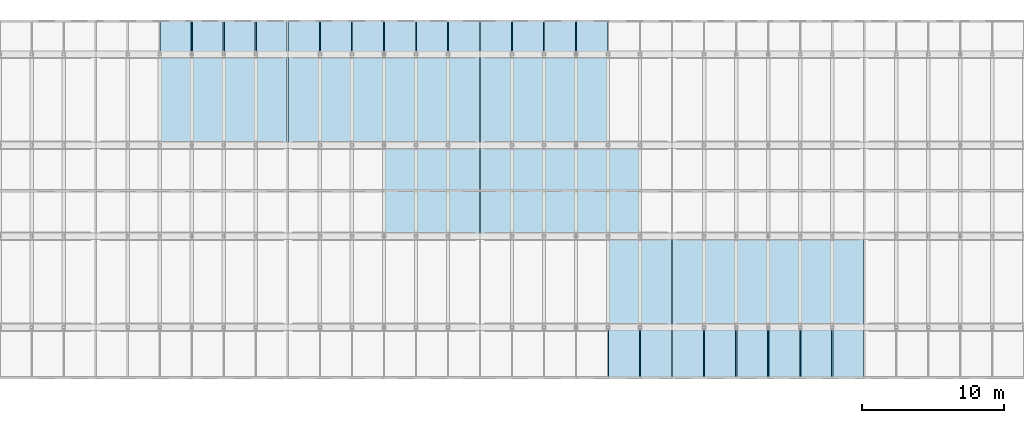
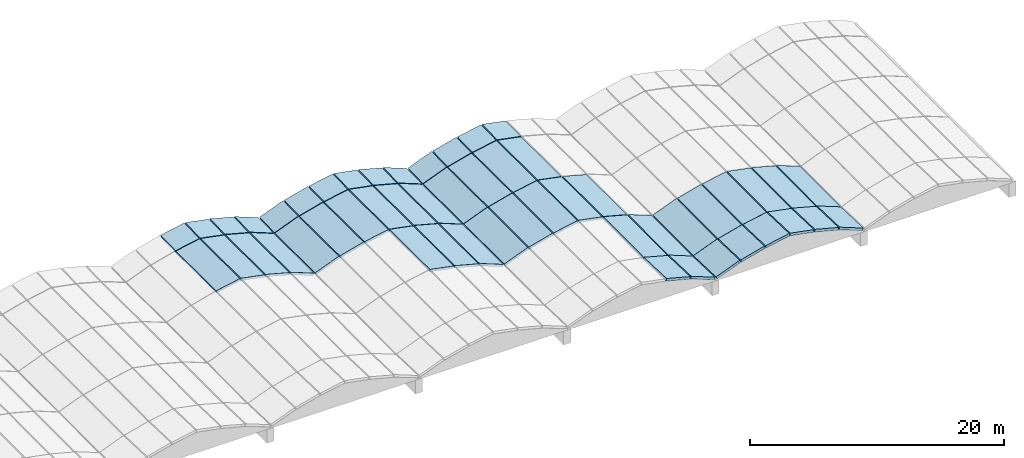
# One storey, part 13 of 15: 52 slabs, 4 elements without a shape of their own.
"""IFC4 building model written with IfcOpenShell, lengths in metres."""

from ifc_helpers import new_model, si_unit, direction, frame, origin, place, context, subcontext, project, spatial, polyline, outline, extrude, material, layer, layer_set, type_object, element, aggregate, save


model = new_model("IFC4")

# Units and contexts
model_context = context("Model", 3, precision=1e-05, world=origin(), true_north=direction((0.0, 1.0)))
body_context = subcontext(model_context, "Body", "Model", "MODEL_VIEW")
ifc_project = project(units=[si_unit("LENGTHUNIT", "METRE"), si_unit("AREAUNIT", "SQUARE_METRE"), si_unit("VOLUMEUNIT", "CUBIC_METRE"), si_unit("PLANEANGLEUNIT", "RADIAN"), si_unit("MASSUNIT", "GRAM", prefix="KILO")], contexts=[model_context])

# Site, building, storey
site_placement = place(None, origin())
site = spatial("IfcSite", under=ifc_project, at=site_placement, CompositionType="ELEMENT")
building_placement = place(site_placement, origin())
building = spatial("IfcBuilding", under=site, at=building_placement, Name="Fikremerkos Civic Library", CompositionType="ELEMENT")
storey_placement = place(building_placement, frame((0.0, 0.0, 27.89990234375)))
storey = spatial("IfcBuildingStorey", under=building, at=storey_placement, Name="RF", CompositionType="ELEMENT", Elevation=27.89990234375)

# Roof, slabs
ifc_material = material(Name="Concrete C40/50", Category="concrete")
ifc_layer_1 = layer(ifc_material, 0.219970703125, Name="Concrete C40/50")
ifc_layer_set_1 = layer_set([ifc_layer_1], Name="Concrete C40/50")
roof_type = type_object("IfcRoofType", Name="Reading hall barrel vault assembly RF-BV", PredefinedType="BARREL_ROOF", material=ifc_layer_set_1)
roof_1_placement = place(storey_placement, origin())
roof_1 = element("IfcRoof", 1, at=roof_1_placement, inside=storey, type_object=roof_type, Name="Reading hall concrete barrel vault V3", PredefinedType="BARREL_ROOF")
ifc_layer_2 = layer(ifc_material, 0.219970703125, Name="Concrete C40/50")
ifc_layer_set_2 = layer_set([ifc_layer_2], Name="Concrete C40/50")
slab_type_1 = type_object("IfcSlabType", Name="Vault shell roof strip VSR-01 220", PredefinedType="ROOF", material=ifc_layer_set_2)
slab_1_placement = place(storey_placement, frame((50.748046875, 24.81494140625, 1.654052734375), z_axis=(-0.191446599806, 0.006169067818, 0.981483643279), x_axis=(0.981502320169, 0.0, 0.191450242889)))
slab_1 = element("IfcSlab", 2, at=slab_1_placement, type_object=slab_type_1, Name="Barrel vault shell strip VSR-01 V3 R4 F3", PredefinedType="ROOF", context=body_context, shape_type="SweptSolid", body=[
    extrude(outline(polyline([(0.0, 0.0), (2.1946486423012233, -4.336808689942018e-19), (2.1869831540605427, 6.37023840600168), (-0.0076654882406804545, 6.37023840600168), (0.0, 0.0)])), origin(), (0.0, 0.0, -1.0), 0.219970703125),
])
slab_2_placement = place(storey_placement, frame((52.998046875, 24.81494140625, 2.07421875), z_axis=(0.191446599806, 0.006169067818, 0.981483643279), x_axis=(0.981502320169, 0.0, -0.191450242889)))
slab_2 = element("IfcSlab", 3, at=slab_2_placement, type_object=slab_type_1, Name="Barrel vault shell strip VSR-01 V3 R4 F4", PredefinedType="ROOF", context=body_context, shape_type="SweptSolid", body=[
    extrude(outline(polyline([(0.0, 0.0), (2.1946486423012233, 4.336808689942018e-19), (2.202314130541904, 6.37023840600168), (0.0076654882406804545, 6.37023840600168), (0.0, 0.0)])), origin(), (0.0, 0.0, -1.0), 0.219970703125),
])
slab_3_placement = place(storey_placement, frame((55.248046875, 24.81494140625, 1.654052734375), z_axis=(0.259108847261, 0.006070671626, 0.965829049168), x_axis=(0.965846846535, 0.0, -0.259113621869)))
slab_3 = element("IfcSlab", 4, at=slab_3_placement, type_object=slab_type_1, Name="Barrel vault shell strip VSR-01 V3 R4 F5", PredefinedType="ROOF", context=body_context, shape_type="SweptSolid", body=[
    extrude(outline(polyline([(0.0, 0.0), (2.2302218432479766, -4.336808689942018e-19), (2.2405965097485847, 6.3702345698807505), (0.010374666500608148, 6.3702345698807505), (0.0, 0.0)])), origin(), (0.0, 0.0, -1.0), 0.219970703125),
])
slab_4_placement = place(storey_placement, frame((57.498046875, 24.81494140625, 1.076171875), z_axis=(0.365584139107, 0.005832410844, 0.930760022894), x_axis=(0.930775853527, 2.86336e-07, -0.365590358861)))
slab_4 = element("IfcSlab", 5, at=slab_4_placement, type_object=slab_type_1, Name="Barrel vault shell strip VSR-01 V3 R4 F6", PredefinedType="ROOF", context=body_context, shape_type="SweptSolid", body=[
    extrude(outline(polyline([(0.0, 0.0), (2.314299692254804, -8.673617379884035e-19), (2.328850156019198, 6.370224869609008), (0.01463971922310075, 6.37022619494165), (0.0, 0.0)])), origin(), (0.0, 0.0, -1.0), 0.219970703125),
])

roof_2_placement = place(storey_placement, origin())
roof_2 = element("IfcRoof", 6, at=roof_2_placement, inside=storey, type_object=roof_type, Name="Reading hall concrete barrel vault V4", PredefinedType="BARREL_ROOF")
slab_5_placement = place(storey_placement, frame((66.498046875, 18.4150390625, 2.07421875), z_axis=(0.191450242889, 0.0, 0.981502320169), x_axis=(0.981502320169, 0.0, -0.191450242889)))
slab_5 = element("IfcSlab", 7, at=slab_5_placement, type_object=slab_type_1, Name="Barrel vault shell strip VSR-01 V4 R3 F4", PredefinedType="ROOF", context=body_context, shape_type="SweptSolid", body=[
    extrude(outline(polyline([(0.0, 0.0), (2.1946486423012233, 0.0), (2.1946486423012233, 6.369873046875), (0.0, 6.369873046875), (0.0, 0.0)])), origin(), (0.0, 0.0, -1.0), 0.219970703125),
])
slab_6_placement = place(storey_placement, frame((68.748046875, 18.4150390625, 1.654052734375), z_axis=(0.259113621869, 0.0, 0.965846846535), x_axis=(0.965846846535, 0.0, -0.259113621869)))
slab_6 = element("IfcSlab", 8, at=slab_6_placement, type_object=slab_type_1, Name="Barrel vault shell strip VSR-01 V4 R3 F5", PredefinedType="ROOF", context=body_context, shape_type="SweptSolid", body=[
    extrude(outline(polyline([(0.0, 0.0), (2.2302218432479766, 0.0), (2.2302218432479766, 6.369873046875), (0.0, 6.369873046875), (0.0, 0.0)])), origin(), (0.0, 0.0, -1.0), 0.219970703125),
])
slab_7_placement = place(storey_placement, frame((70.998046875, 18.4150390625, 1.076171875), z_axis=(0.365636053128, 0.0, 0.930757904427), x_axis=(0.930757904427, 0.0, -0.365636053128)))
slab_7 = element("IfcSlab", 9, at=slab_7_placement, type_object=slab_type_1, Name="Barrel vault shell strip VSR-01 V4 R3 F6", PredefinedType="ROOF", context=body_context, shape_type="SweptSolid", body=[
    extrude(outline(polyline([(0.0, 0.0), (2.314299695043787, 0.0), (2.314299695043787, 6.369873046875), (0.0, 6.369873046875), (0.0, 0.0)])), origin(), (0.0, 0.0, -1.0), 0.219970703125),
])
slab_8_placement = place(storey_placement, frame((59.748046875, 24.81494140625, 0.22998046875), z_axis=(-0.365584139107, 0.005832410844, 0.930760022894), x_axis=(0.930775853527, -2.86336e-07, 0.365590358861)))
slab_8 = element("IfcSlab", 10, at=slab_8_placement, type_object=slab_type_1, Name="Barrel vault shell strip VSR-01 V4 R4 F1", PredefinedType="ROOF", context=body_context, shape_type="SweptSolid", body=[
    extrude(outline(polyline([(0.0, 0.0), (2.314299692254804, 8.673617379884035e-19), (2.299659973031703, 6.370226194941651), (-0.014550463764394549, 6.370224869609008), (0.0, 0.0)])), origin(), (0.0, 0.0, -1.0), 0.219970703125),
])
slab_9_placement = place(storey_placement, frame((61.998046875, 24.81494140625, 1.076171875), z_axis=(-0.259108847261, 0.006070671626, 0.965829049168), x_axis=(0.965846846535, 0.0, 0.259113621869)))
slab_9 = element("IfcSlab", 11, at=slab_9_placement, type_object=slab_type_1, Name="Barrel vault shell strip VSR-01 V4 R4 F2", PredefinedType="ROOF", context=body_context, shape_type="SweptSolid", body=[
    extrude(outline(polyline([(0.0, 0.0), (2.2302218432479766, 4.336808689942018e-19), (2.2198471767473684, 6.3702345698807505), (-0.010374666500608148, 6.3702345698807505), (0.0, 0.0)])), origin(), (0.0, 0.0, -1.0), 0.219970703125),
])
slab_10_placement = place(storey_placement, frame((64.248046875, 24.81494140625, 1.654052734375), z_axis=(-0.191446599806, 0.006169067818, 0.981483643279), x_axis=(0.981502320169, 0.0, 0.191450242889)))
slab_10 = element("IfcSlab", 12, at=slab_10_placement, type_object=slab_type_1, Name="Barrel vault shell strip VSR-01 V4 R4 F3", PredefinedType="ROOF", context=body_context, shape_type="SweptSolid", body=[
    extrude(outline(polyline([(0.0, 0.0), (2.1946486423012233, -4.336808689942018e-19), (2.1869831540605427, 6.37023840600168), (-0.0076654882406804545, 6.37023840600168), (0.0, 0.0)])), origin(), (0.0, 0.0, -1.0), 0.219970703125),
])
slab_11_placement = place(storey_placement, frame((66.498046875, 24.81494140625, 2.07421875), z_axis=(0.191446599806, 0.006169067818, 0.981483643279), x_axis=(0.981502320169, 0.0, -0.191450242889)))
slab_11 = element("IfcSlab", 13, at=slab_11_placement, type_object=slab_type_1, Name="Barrel vault shell strip VSR-01 V4 R4 F4", PredefinedType="ROOF", context=body_context, shape_type="SweptSolid", body=[
    extrude(outline(polyline([(0.0, 0.0), (2.1946486423012233, 4.336808689942018e-19), (2.202314130541904, 6.37023840600168), (0.0076654882406804545, 6.37023840600168), (0.0, 0.0)])), origin(), (0.0, 0.0, -1.0), 0.219970703125),
])
slab_12_placement = place(storey_placement, frame((68.748046875, 24.81494140625, 1.654052734375), z_axis=(0.259108847261, 0.006070671626, 0.965829049168), x_axis=(0.965846846535, 0.0, -0.259113621869)))
slab_12 = element("IfcSlab", 14, at=slab_12_placement, type_object=slab_type_1, Name="Barrel vault shell strip VSR-01 V4 R4 F5", PredefinedType="ROOF", context=body_context, shape_type="SweptSolid", body=[
    extrude(outline(polyline([(0.0, 0.0), (2.2302218432479766, -4.336808689942018e-19), (2.2405965097485847, 6.3702345698807505), (0.010374666500608148, 6.3702345698807505), (0.0, 0.0)])), origin(), (0.0, 0.0, -1.0), 0.219970703125),
])
slab_13_placement = place(storey_placement, frame((70.998046875, 24.81494140625, 1.076171875), z_axis=(0.365584139107, 0.005832410844, 0.930760022894), x_axis=(0.930775853527, 2.86336e-07, -0.365590358861)))
slab_13 = element("IfcSlab", 15, at=slab_13_placement, type_object=slab_type_1, Name="Barrel vault shell strip VSR-01 V4 R4 F6", PredefinedType="ROOF", context=body_context, shape_type="SweptSolid", body=[
    extrude(outline(polyline([(0.0, 0.0), (2.314299692254804, -8.673617379884035e-19), (2.328850156019198, 6.370224869609008), (0.01463971922310075, 6.37022619494165), (0.0, 0.0)])), origin(), (0.0, 0.0, -1.0), 0.219970703125),
])

roof_3_placement = place(storey_placement, origin())
roof_3 = element("IfcRoof", 16, at=roof_3_placement, inside=storey, type_object=roof_type, Name="Reading hall concrete barrel vault V5", PredefinedType="BARREL_ROOF")
slab_14_placement = place(storey_placement, frame((82.248046875, 12.014892578125, 1.614013671875), z_axis=(0.259108847261, -0.006070671626, 0.965829049168), x_axis=(0.965846846535, 0.0, -0.259113621869)))
slab_14 = element("IfcSlab", 17, at=slab_14_placement, type_object=slab_type_1, Name="Barrel vault shell strip VSR-01 V5 R2 F5", PredefinedType="ROOF", context=body_context, shape_type="SweptSolid", body=[
    extrude(outline(polyline([(0.0, 0.0), (2.2302218432479766, 4.336808689942018e-19), (2.2198471767473684, 6.3702345698807505), (-0.010374666500608148, 6.3702345698807505), (0.0, 0.0)])), origin(), (0.0, 0.0, -1.0), 0.219970703125),
])
slab_15_placement = place(storey_placement, frame((84.498046875, 12.014892578125, 1.0361328125), z_axis=(0.365584139107, -0.005832410844, 0.930760022894), x_axis=(0.930775854748, 2.86347e-07, -0.365590355752)))
slab_15 = element("IfcSlab", 18, at=slab_15_placement, type_object=slab_type_1, Name="Barrel vault shell strip VSR-01 V5 R2 F6", PredefinedType="ROOF", context=body_context, shape_type="SweptSolid", body=[
    extrude(outline(polyline([(0.0, 0.0), (2.314210436796477, 8.673617379884035e-19), (2.299663621216719, 6.370224877940915), (-0.014636071037704897, 6.370226203324673), (0.0, 0.0)])), origin(), (0.0, 0.0, -1.0), 0.219970703125),
])
slab_16_placement = place(storey_placement, frame((73.248046875, 18.4150390625, 0.22998046875), z_axis=(-0.365636053128, 0.0, 0.930757904427), x_axis=(0.930757904427, 0.0, 0.365636053128)))
slab_16 = element("IfcSlab", 19, at=slab_16_placement, type_object=slab_type_1, Name="Barrel vault shell strip VSR-01 V5 R3 F1", PredefinedType="ROOF", context=body_context, shape_type="SweptSolid", body=[
    extrude(outline(polyline([(0.0, 0.0), (2.314299695043787, 0.0), (2.314299695043787, 6.369873046875), (0.0, 6.369873046875), (0.0, 0.0)])), origin(), (0.0, 0.0, -1.0), 0.219970703125),
])
slab_17_placement = place(storey_placement, frame((75.498046875, 18.4150390625, 1.076171875), z_axis=(-0.259113621869, 0.0, 0.965846846535), x_axis=(0.965846846535, 0.0, 0.259113621869)))
slab_17 = element("IfcSlab", 20, at=slab_17_placement, type_object=slab_type_1, Name="Barrel vault shell strip VSR-01 V5 R3 F2", PredefinedType="ROOF", context=body_context, shape_type="SweptSolid", body=[
    extrude(outline(polyline([(0.0, 0.0), (2.2302218432479766, 0.0), (2.2302218432479766, 6.369873046875), (0.0, 6.369873046875), (0.0, 0.0)])), origin(), (0.0, 0.0, -1.0), 0.219970703125),
])
slab_18_placement = place(storey_placement, frame((77.748046875, 18.4150390625, 1.654052734375), z_axis=(-0.191450242889, 0.0, 0.981502320169), x_axis=(0.981502320169, 0.0, 0.191450242889)))
slab_18 = element("IfcSlab", 21, at=slab_18_placement, type_object=slab_type_1, Name="Barrel vault shell strip VSR-01 V5 R3 F3", PredefinedType="ROOF", context=body_context, shape_type="SweptSolid", body=[
    extrude(outline(polyline([(0.0, 0.0), (2.1946486423012233, 0.0), (2.1946486423012233, 6.369873046875), (0.0, 6.369873046875), (0.0, 0.0)])), origin(), (0.0, 0.0, -1.0), 0.219970703125),
])
slab_19_placement = place(storey_placement, frame((79.998046875, 18.4150390625, 2.07421875), z_axis=(0.191450242889, 0.0, 0.981502320169), x_axis=(0.981502320169, 0.0, -0.191450242889)))
slab_19 = element("IfcSlab", 22, at=slab_19_placement, type_object=slab_type_1, Name="Barrel vault shell strip VSR-01 V5 R3 F4", PredefinedType="ROOF", context=body_context, shape_type="SweptSolid", body=[
    extrude(outline(polyline([(0.0, 0.0), (2.1946486423012233, 0.0), (2.1946486423012233, 6.369873046875), (0.0, 6.369873046875), (0.0, 0.0)])), origin(), (0.0, 0.0, -1.0), 0.219970703125),
])
slab_20_placement = place(storey_placement, frame((82.248046875, 18.4150390625, 1.654052734375), z_axis=(0.259113621869, 0.0, 0.965846846535), x_axis=(0.965846846535, 0.0, -0.259113621869)))
slab_20 = element("IfcSlab", 23, at=slab_20_placement, type_object=slab_type_1, Name="Barrel vault shell strip VSR-01 V5 R3 F5", PredefinedType="ROOF", context=body_context, shape_type="SweptSolid", body=[
    extrude(outline(polyline([(0.0, 0.0), (2.2302218432479766, 0.0), (2.2302218432479766, 6.369873046875), (0.0, 6.369873046875), (0.0, 0.0)])), origin(), (0.0, 0.0, -1.0), 0.219970703125),
])
slab_21_placement = place(storey_placement, frame((73.248046875, 24.81494140625, 0.22998046875), z_axis=(-0.365584139107, 0.005832410844, 0.930760022894), x_axis=(0.930775853527, -2.86336e-07, 0.365590358861)))
slab_21 = element("IfcSlab", 24, at=slab_21_placement, type_object=slab_type_1, Name="Barrel vault shell strip VSR-01 V5 R4 F1", PredefinedType="ROOF", context=body_context, shape_type="SweptSolid", body=[
    extrude(outline(polyline([(0.0, 0.0), (2.314299692254804, 8.673617379884035e-19), (2.299659973031703, 6.370226194941651), (-0.014550463764394549, 6.370224869609008), (0.0, 0.0)])), origin(), (0.0, 0.0, -1.0), 0.219970703125),
])
slab_22_placement = place(storey_placement, frame((75.498046875, 24.81494140625, 1.076171875), z_axis=(-0.259108847261, 0.006070671626, 0.965829049168), x_axis=(0.965846846535, 0.0, 0.259113621869)))
slab_22 = element("IfcSlab", 25, at=slab_22_placement, type_object=slab_type_1, Name="Barrel vault shell strip VSR-01 V5 R4 F2", PredefinedType="ROOF", context=body_context, shape_type="SweptSolid", body=[
    extrude(outline(polyline([(0.0, 0.0), (2.2302218432479766, 4.336808689942018e-19), (2.2198471767473684, 6.3702345698807505), (-0.010374666500608148, 6.3702345698807505), (0.0, 0.0)])), origin(), (0.0, 0.0, -1.0), 0.219970703125),
])
slab_23_placement = place(storey_placement, frame((77.748046875, 24.81494140625, 1.654052734375), z_axis=(-0.191446599806, 0.006169067818, 0.981483643279), x_axis=(0.981502320169, 0.0, 0.191450242889)))
slab_23 = element("IfcSlab", 26, at=slab_23_placement, type_object=slab_type_1, Name="Barrel vault shell strip VSR-01 V5 R4 F3", PredefinedType="ROOF", context=body_context, shape_type="SweptSolid", body=[
    extrude(outline(polyline([(0.0, 0.0), (2.1946486423012233, -4.336808689942018e-19), (2.1869831540605427, 6.37023840600168), (-0.0076654882406804545, 6.37023840600168), (0.0, 0.0)])), origin(), (0.0, 0.0, -1.0), 0.219970703125),
])
slab_24_placement = place(storey_placement, frame((79.998046875, 24.81494140625, 2.07421875), z_axis=(0.191446599806, 0.006169067818, 0.981483643279), x_axis=(0.981502320169, 0.0, -0.191450242889)))
slab_24 = element("IfcSlab", 27, at=slab_24_placement, type_object=slab_type_1, Name="Barrel vault shell strip VSR-01 V5 R4 F4", PredefinedType="ROOF", context=body_context, shape_type="SweptSolid", body=[
    extrude(outline(polyline([(0.0, 0.0), (2.1946486423012233, 4.336808689942018e-19), (2.202314130541904, 6.37023840600168), (0.0076654882406804545, 6.37023840600168), (0.0, 0.0)])), origin(), (0.0, 0.0, -1.0), 0.219970703125),
])

roof_4_placement = place(storey_placement, origin())
roof_4 = element("IfcRoof", 28, at=roof_4_placement, inside=storey, type_object=roof_type, Name="Reading hall concrete barrel vault V6", PredefinedType="BARREL_ROOF")
slab_25_placement = place(storey_placement, frame((86.748046875, 12.014892578125, 0.190185546875), z_axis=(-0.365584139107, -0.005832410844, 0.930760022894), x_axis=(0.930775854748, -2.86347e-07, 0.365590355752)))
slab_25 = element("IfcSlab", 29, at=slab_25_placement, type_object=slab_type_1, Name="Barrel vault shell strip VSR-01 V6 R2 F1", PredefinedType="ROOF", context=body_context, shape_type="SweptSolid", body=[
    extrude(outline(polyline([(0.0, 0.0), (2.314210436796477, -8.673617379884035e-19), (2.328846507834182, 6.370226203324673), (0.014546815579757719, 6.370224877940915), (0.0, 0.0)])), origin(), (0.0, 0.0, -1.0), 0.219970703125),
])
slab_26_placement = place(storey_placement, frame((88.998046875, 12.014892578125, 1.0361328125), z_axis=(-0.259108847261, -0.006070671626, 0.965829049168), x_axis=(0.965846846535, 0.0, 0.259113621869)))
slab_26 = element("IfcSlab", 30, at=slab_26_placement, type_object=slab_type_1, Name="Barrel vault shell strip VSR-01 V6 R2 F2", PredefinedType="ROOF", context=body_context, shape_type="SweptSolid", body=[
    extrude(outline(polyline([(0.0, 0.0), (2.2302218432479766, -4.336808689942018e-19), (2.2405965097485847, 6.3702345698807505), (0.010374666500608148, 6.3702345698807505), (0.0, 0.0)])), origin(), (0.0, 0.0, -1.0), 0.219970703125),
])
slab_27_placement = place(storey_placement, frame((91.248046875, 12.014892578125, 1.614013671875), z_axis=(-0.191446599806, -0.006169067818, 0.981483643279), x_axis=(0.981502320169, 0.0, 0.191450242889)))
slab_27 = element("IfcSlab", 31, at=slab_27_placement, type_object=slab_type_1, Name="Barrel vault shell strip VSR-01 V6 R2 F3", PredefinedType="ROOF", context=body_context, shape_type="SweptSolid", body=[
    extrude(outline(polyline([(0.0, 0.0), (2.1946486423012233, 4.336808689942018e-19), (2.202314130541904, 6.37023840600168), (0.0076654882406804545, 6.37023840600168), (0.0, 0.0)])), origin(), (0.0, 0.0, -1.0), 0.219970703125),
])
slab_28_placement = place(storey_placement, frame((93.498046875, 12.014892578125, 2.0341796875), z_axis=(0.191446599806, -0.006169067818, 0.981483643279), x_axis=(0.981502320169, 0.0, -0.191450242889)))
slab_28 = element("IfcSlab", 32, at=slab_28_placement, type_object=slab_type_1, Name="Barrel vault shell strip VSR-01 V6 R2 F4", PredefinedType="ROOF", context=body_context, shape_type="SweptSolid", body=[
    extrude(outline(polyline([(0.0, 0.0), (2.1946486423012233, -4.336808689942018e-19), (2.1869831540605427, 6.37023840600168), (-0.0076654882406804545, 6.37023840600168), (0.0, 0.0)])), origin(), (0.0, 0.0, -1.0), 0.219970703125),
])
slab_29_placement = place(storey_placement, frame((95.748046875, 12.014892578125, 1.614013671875), z_axis=(0.259108847261, -0.006070671626, 0.965829049168), x_axis=(0.965846846535, 0.0, -0.259113621869)))
slab_29 = element("IfcSlab", 33, at=slab_29_placement, type_object=slab_type_1, Name="Barrel vault shell strip VSR-01 V6 R2 F5", PredefinedType="ROOF", context=body_context, shape_type="SweptSolid", body=[
    extrude(outline(polyline([(0.0, 0.0), (2.2302218432479766, 4.336808689942018e-19), (2.2198471767473684, 6.3702345698807505), (-0.010374666500608148, 6.3702345698807505), (0.0, 0.0)])), origin(), (0.0, 0.0, -1.0), 0.219970703125),
])
slab_30_placement = place(storey_placement, frame((97.998046875, 12.014892578125, 1.0361328125), z_axis=(0.365584139107, -0.005832410844, 0.930760022894), x_axis=(0.930775854748, 2.86347e-07, -0.365590355752)))
slab_30 = element("IfcSlab", 34, at=slab_30_placement, type_object=slab_type_1, Name="Barrel vault shell strip VSR-01 V6 R2 F6", PredefinedType="ROOF", context=body_context, shape_type="SweptSolid", body=[
    extrude(outline(polyline([(0.0, 0.0), (2.314210436796477, 8.673617379884035e-19), (2.299663621216719, 6.370224877940915), (-0.014636071037704897, 6.370226203324673), (0.0, 0.0)])), origin(), (0.0, 0.0, -1.0), 0.219970703125),
])

# Slab
ifc_layer_3 = layer(ifc_material, 0.239990234375, Name="Concrete C40/50")
ifc_layer_set_3 = layer_set([ifc_layer_3], Name="Concrete C40/50")
slab_type_2 = type_object("IfcSlabType", Name="Vault shell roof strip VSR-02 240", PredefinedType="ROOF", material=ifc_layer_set_3)
slab_31_placement = place(storey_placement, frame((50.748046875, 31.215087890625, 1.634033203125), z_axis=(-0.191399832658, -0.022946570677, 0.981243883524), x_axis=(0.981502320169, 0.0, 0.191450242889)))
slab_31 = element("IfcSlab", 35, at=slab_31_placement, type_object=slab_type_2, Name="Barrel vault shell strip VSR-02 V3 R5 F3", PredefinedType="ROOF", context=body_context, shape_type="SweptSolid", body=[
    extrude(outline(polyline([(0.0, 0.0), (2.1946486423012233, 0.0), (2.2052587998050917, 2.3704972159028093), (0.010610157503868678, 2.3704972159028093), (0.0, 0.0)])), origin(), (0.0, 0.0, -1.0), 0.239990234375),
])

slab_32_placement = place(storey_placement, frame((52.998046875, 31.215087890625, 2.05419921875), z_axis=(0.191399832658, -0.022946570677, 0.981243883524), x_axis=(0.981502320169, 0.0, -0.191450242889)))
slab_32 = element("IfcSlab", 36, at=slab_32_placement, type_object=slab_type_2, Name="Barrel vault shell strip VSR-02 V3 R5 F4", PredefinedType="ROOF", context=body_context, shape_type="SweptSolid", body=[
    extrude(outline(polyline([(0.0, 0.0), (2.1946486423012233, 0.0), (2.1840384847973544, 2.3704972159028093), (-0.010610157503868678, 2.3704972159028093), (0.0, 0.0)])), origin(), (0.0, 0.0, -1.0), 0.239990234375),
])

slab_33_placement = place(storey_placement, frame((55.248046875, 31.215087890625, 1.634033203125), z_axis=(0.259047553694, -0.02258074905, 0.965600577204), x_axis=(0.965846846535, 0.0, -0.259113621869)))
slab_33 = element("IfcSlab", 37, at=slab_33_placement, type_object=slab_type_2, Name="Barrel vault shell strip VSR-02 V3 R5 F5", PredefinedType="ROOF", context=body_context, shape_type="SweptSolid", body=[
    extrude(outline(polyline([(0.0, 0.0), (2.2302218432479766, 0.0), (2.215861786567257, 2.370477465578898), (-0.014360056680719815, 2.370477465578898), (0.0, 0.0)])), origin(), (0.0, 0.0, -1.0), 0.239990234375),
])

slab_34_placement = place(storey_placement, frame((57.498046875, 31.215087890625, 1.05615234375), z_axis=(0.365504165159, -0.021713302518, 0.930556412984), x_axis=(0.930775862599, 1.0658e-06, -0.365590335761)))
slab_34 = element("IfcSlab", 38, at=slab_34_placement, type_object=slab_type_2, Name="Barrel vault shell strip VSR-02 V3 R5 F6", PredefinedType="ROOF", context=body_context, shape_type="SweptSolid", body=[
    extrude(outline(polyline([(0.0, 0.0), (2.3142104367976972, 3.469446951953614e-18), (2.294041230215815, 2.3704294579977616), (-0.020258462034948587, 2.370434392228092), (0.0, 0.0)])), origin(), (0.0, 0.0, -1.0), 0.239990234375),
])

aggregate(roof_1, [slab_1, slab_2, slab_3, slab_4, slab_31, slab_32, slab_33, slab_34])

slab_35_placement = place(storey_placement, frame((59.748046875, 31.215087890625, 0.210205078125), z_axis=(-0.365504165159, -0.021713302518, 0.930556412984), x_axis=(0.930775862599, -1.0658e-06, 0.365590335761)))
slab_35 = element("IfcSlab", 39, at=slab_35_placement, type_object=slab_type_2, Name="Barrel vault shell strip VSR-02 V4 R5 F1", PredefinedType="ROOF", context=body_context, shape_type="SweptSolid", body=[
    extrude(outline(polyline([(0.0, 0.0), (2.3142104367976972, -3.469446951953614e-18), (2.334468898832646, 2.370434392228092), (0.02016920658188198, 2.3704294579977616), (0.0, 0.0)])), origin(), (0.0, 0.0, -1.0), 0.239990234375),
])

slab_36_placement = place(storey_placement, frame((61.998046875, 31.215087890625, 1.05615234375), z_axis=(-0.259047553694, -0.02258074905, 0.965600577204), x_axis=(0.965846846535, 0.0, 0.259113621869)))
slab_36 = element("IfcSlab", 40, at=slab_36_placement, type_object=slab_type_2, Name="Barrel vault shell strip VSR-02 V4 R5 F2", PredefinedType="ROOF", context=body_context, shape_type="SweptSolid", body=[
    extrude(outline(polyline([(0.0, 0.0), (2.2302218432479766, 0.0), (2.2445818999286966, 2.370477465578898), (0.014360056680719815, 2.370477465578898), (0.0, 0.0)])), origin(), (0.0, 0.0, -1.0), 0.239990234375),
])

slab_37_placement = place(storey_placement, frame((64.248046875, 31.215087890625, 1.634033203125), z_axis=(-0.191399832658, -0.022946570677, 0.981243883524), x_axis=(0.981502320169, 0.0, 0.191450242889)))
slab_37 = element("IfcSlab", 41, at=slab_37_placement, type_object=slab_type_2, Name="Barrel vault shell strip VSR-02 V4 R5 F3", PredefinedType="ROOF", context=body_context, shape_type="SweptSolid", body=[
    extrude(outline(polyline([(0.0, 0.0), (2.1946486423012233, 0.0), (2.2052587998050917, 2.3704972159028093), (0.010610157503868678, 2.3704972159028093), (0.0, 0.0)])), origin(), (0.0, 0.0, -1.0), 0.239990234375),
])

slab_38_placement = place(storey_placement, frame((66.498046875, 31.215087890625, 2.05419921875), z_axis=(0.191399832658, -0.022946570677, 0.981243883524), x_axis=(0.981502320169, 0.0, -0.191450242889)))
slab_38 = element("IfcSlab", 42, at=slab_38_placement, type_object=slab_type_2, Name="Barrel vault shell strip VSR-02 V4 R5 F4", PredefinedType="ROOF", context=body_context, shape_type="SweptSolid", body=[
    extrude(outline(polyline([(0.0, 0.0), (2.1946486423012233, 0.0), (2.1840384847973544, 2.3704972159028093), (-0.010610157503868678, 2.3704972159028093), (0.0, 0.0)])), origin(), (0.0, 0.0, -1.0), 0.239990234375),
])

slab_39_placement = place(storey_placement, frame((68.748046875, 31.215087890625, 1.634033203125), z_axis=(0.259047553694, -0.02258074905, 0.965600577204), x_axis=(0.965846846535, 0.0, -0.259113621869)))
slab_39 = element("IfcSlab", 43, at=slab_39_placement, type_object=slab_type_2, Name="Barrel vault shell strip VSR-02 V4 R5 F5", PredefinedType="ROOF", context=body_context, shape_type="SweptSolid", body=[
    extrude(outline(polyline([(0.0, 0.0), (2.2302218432479766, 0.0), (2.215861786567257, 2.370477465578898), (-0.014360056680719815, 2.370477465578898), (0.0, 0.0)])), origin(), (0.0, 0.0, -1.0), 0.239990234375),
])

slab_40_placement = place(storey_placement, frame((70.998046875, 31.215087890625, 1.05615234375), z_axis=(0.365504165159, -0.021713302518, 0.930556412984), x_axis=(0.930775862599, 1.0658e-06, -0.365590335761)))
slab_40 = element("IfcSlab", 44, at=slab_40_placement, type_object=slab_type_2, Name="Barrel vault shell strip VSR-02 V4 R5 F6", PredefinedType="ROOF", context=body_context, shape_type="SweptSolid", body=[
    extrude(outline(polyline([(0.0, 0.0), (2.3142104367976972, 3.469446951953614e-18), (2.294041230215815, 2.3704294579977616), (-0.020258462034948587, 2.370434392228092), (0.0, 0.0)])), origin(), (0.0, 0.0, -1.0), 0.239990234375),
])

aggregate(roof_2, [slab_5, slab_6, slab_7, slab_8, slab_9, slab_10, slab_11, slab_12, slab_13, slab_35, slab_36, slab_37, slab_38, slab_39, slab_40])

slab_41_placement = place(storey_placement, frame((82.248046875, 8.4150390625, 1.7587890625), z_axis=(0.258966161686, 0.033732261724, 0.965297188238), x_axis=(0.965846846535, 0.0, -0.259113621869)))
slab_41 = element("IfcSlab", 45, at=slab_41_placement, type_object=slab_type_2, Name="Barrel vault shell strip VSR-02 V5 R1 F5", PredefinedType="ROOF", context=body_context, shape_type="SweptSolid", body=[
    extrude(outline(polyline([(0.0, 0.0), (2.2302218432479766, 0.0), (2.2625477858199936, 3.572101223159239), (0.032325942572016854, 3.572101223159239), (0.0, 0.0)])), origin(), (0.0, 0.0, -1.0), 0.239990234375),
])

slab_42_placement = place(storey_placement, frame((84.498046875, 8.4150390625, 1.180908203125), z_axis=(0.365351443407, 0.032509350127, 0.930301813905), x_axis=(0.930793802296, 0.0, -0.365544658841)))
slab_42 = element("IfcSlab", 46, at=slab_42_placement, type_object=slab_type_2, Name="Barrel vault shell strip VSR-02 V5 R1 F6", PredefinedType="ROOF", context=body_context, shape_type="SweptSolid", body=[
    extrude(outline(polyline([(0.0, 0.0), (2.314210439585568, 3.469446951953614e-18), (2.3598142776392406, 3.571956383414232), (0.04560383805367241, 3.5719563834142316), (0.0, 0.0)])), origin(), (0.0, 0.0, -1.0), 0.239990234375),
])

slab_43_placement = place(storey_placement, frame((73.248046875, 31.215087890625, 0.210205078125), z_axis=(-0.365504165159, -0.021713302518, 0.930556412984), x_axis=(0.930775862599, -1.0658e-06, 0.365590335761)))
slab_43 = element("IfcSlab", 47, at=slab_43_placement, type_object=slab_type_2, Name="Barrel vault shell strip VSR-02 V5 R5 F1", PredefinedType="ROOF", context=body_context, shape_type="SweptSolid", body=[
    extrude(outline(polyline([(0.0, 0.0), (2.3142104367976972, -3.469446951953614e-18), (2.334468898832646, 2.370434392228092), (0.02016920658188198, 2.3704294579977616), (0.0, 0.0)])), origin(), (0.0, 0.0, -1.0), 0.239990234375),
])

slab_44_placement = place(storey_placement, frame((75.498046875, 31.215087890625, 1.05615234375), z_axis=(-0.259047553694, -0.02258074905, 0.965600577204), x_axis=(0.965846846535, 0.0, 0.259113621869)))
slab_44 = element("IfcSlab", 48, at=slab_44_placement, type_object=slab_type_2, Name="Barrel vault shell strip VSR-02 V5 R5 F2", PredefinedType="ROOF", context=body_context, shape_type="SweptSolid", body=[
    extrude(outline(polyline([(0.0, 0.0), (2.2302218432479766, 0.0), (2.2445818999286966, 2.370477465578898), (0.014360056680719815, 2.370477465578898), (0.0, 0.0)])), origin(), (0.0, 0.0, -1.0), 0.239990234375),
])

slab_45_placement = place(storey_placement, frame((77.748046875, 31.215087890625, 1.634033203125), z_axis=(-0.191399832658, -0.022946570677, 0.981243883524), x_axis=(0.981502320169, 0.0, 0.191450242889)))
slab_45 = element("IfcSlab", 49, at=slab_45_placement, type_object=slab_type_2, Name="Barrel vault shell strip VSR-02 V5 R5 F3", PredefinedType="ROOF", context=body_context, shape_type="SweptSolid", body=[
    extrude(outline(polyline([(0.0, 0.0), (2.1946486423012233, 0.0), (2.2052587998050917, 2.3704972159028093), (0.010610157503868678, 2.3704972159028093), (0.0, 0.0)])), origin(), (0.0, 0.0, -1.0), 0.239990234375),
])

slab_46_placement = place(storey_placement, frame((79.998046875, 31.215087890625, 2.05419921875), z_axis=(0.191399832658, -0.022946570677, 0.981243883524), x_axis=(0.981502320169, 0.0, -0.191450242889)))
slab_46 = element("IfcSlab", 50, at=slab_46_placement, type_object=slab_type_2, Name="Barrel vault shell strip VSR-02 V5 R5 F4", PredefinedType="ROOF", context=body_context, shape_type="SweptSolid", body=[
    extrude(outline(polyline([(0.0, 0.0), (2.1946486423012233, 0.0), (2.1840384847973544, 2.3704972159028093), (-0.010610157503868678, 2.3704972159028093), (0.0, 0.0)])), origin(), (0.0, 0.0, -1.0), 0.239990234375),
])

aggregate(roof_3, [slab_41, slab_42, slab_14, slab_15, slab_16, slab_17, slab_18, slab_19, slab_20, slab_21, slab_22, slab_23, slab_24, slab_43, slab_44, slab_45, slab_46])

slab_47_placement = place(storey_placement, frame((86.748046875, 8.4150390625, 0.3349609375), z_axis=(-0.365351443407, 0.032509350127, 0.930301813905), x_axis=(0.930793802296, 0.0, 0.365544658841)))
slab_47 = element("IfcSlab", 51, at=slab_47_placement, type_object=slab_type_2, Name="Barrel vault shell strip VSR-02 V6 R1 F1", PredefinedType="ROOF", context=body_context, shape_type="SweptSolid", body=[
    extrude(outline(polyline([(0.0, 0.0), (2.314210439585568, -3.469446951953614e-18), (2.2686066015318955, 3.5719563834142316), (-0.04560383805367241, 3.5719563834142316), (0.0, 0.0)])), origin(), (0.0, 0.0, -1.0), 0.239990234375),
])

slab_48_placement = place(storey_placement, frame((88.998046875, 8.4150390625, 1.180908203125), z_axis=(-0.258966161686, 0.033732261724, 0.965297188238), x_axis=(0.965846846535, 0.0, 0.259113621869)))
slab_48 = element("IfcSlab", 52, at=slab_48_placement, type_object=slab_type_2, Name="Barrel vault shell strip VSR-02 V6 R1 F2", PredefinedType="ROOF", context=body_context, shape_type="SweptSolid", body=[
    extrude(outline(polyline([(0.0, 0.0), (2.2302218432479766, 0.0), (2.19789590067596, 3.572101223159239), (-0.032325942572016854, 3.572101223159239), (0.0, 0.0)])), origin(), (0.0, 0.0, -1.0), 0.239990234375),
])

slab_49_placement = place(storey_placement, frame((91.248046875, 8.4150390625, 1.7587890625), z_axis=(-0.191337732025, 0.034278392784, 0.980925514038), x_axis=(0.981502320169, 0.0, 0.191450242889)))
slab_49 = element("IfcSlab", 53, at=slab_49_placement, type_object=slab_type_2, Name="Barrel vault shell strip VSR-02 V6 R1 F3", PredefinedType="ROOF", context=body_context, shape_type="SweptSolid", body=[
    extrude(outline(polyline([(0.0, 0.0), (2.1946486423012233, 0.0), (2.1707641027220297, 3.5721676393792037), (-0.023884539579193367, 3.5721676393792037), (0.0, 0.0)])), origin(), (0.0, 0.0, -1.0), 0.239990234375),
])

slab_50_placement = place(storey_placement, frame((93.498046875, 8.4150390625, 2.178955078125), z_axis=(0.191337732025, 0.034278392784, 0.980925514038), x_axis=(0.981502320169, 0.0, -0.191450242889)))
slab_50 = element("IfcSlab", 54, at=slab_50_placement, type_object=slab_type_2, Name="Barrel vault shell strip VSR-02 V6 R1 F4", PredefinedType="ROOF", context=body_context, shape_type="SweptSolid", body=[
    extrude(outline(polyline([(0.0, 0.0), (2.1946486423012233, 0.0), (2.2185331818804164, 3.5721676393792032), (0.023884539579193367, 3.5721676393792037), (0.0, 0.0)])), origin(), (0.0, 0.0, -1.0), 0.239990234375),
])

slab_51_placement = place(storey_placement, frame((95.748046875, 8.4150390625, 1.7587890625), z_axis=(0.258966161686, 0.033732261724, 0.965297188238), x_axis=(0.965846846535, 0.0, -0.259113621869)))
slab_51 = element("IfcSlab", 55, at=slab_51_placement, type_object=slab_type_2, Name="Barrel vault shell strip VSR-02 V6 R1 F5", PredefinedType="ROOF", context=body_context, shape_type="SweptSolid", body=[
    extrude(outline(polyline([(0.0, 0.0), (2.2302218432479766, 0.0), (2.2625477858199936, 3.572101223159239), (0.032325942572016854, 3.572101223159239), (0.0, 0.0)])), origin(), (0.0, 0.0, -1.0), 0.239990234375),
])

slab_52_placement = place(storey_placement, frame((97.998046875, 8.4150390625, 1.180908203125), z_axis=(0.365351443407, 0.032509350127, 0.930301813905), x_axis=(0.930793802296, 0.0, -0.365544658841)))
slab_52 = element("IfcSlab", 56, at=slab_52_placement, type_object=slab_type_2, Name="Barrel vault shell strip VSR-02 V6 R1 F6", PredefinedType="ROOF", context=body_context, shape_type="SweptSolid", body=[
    extrude(outline(polyline([(0.0, 0.0), (2.314210439585568, 3.469446951953614e-18), (2.3598142776392406, 3.571956383414232), (0.04560383805367241, 3.5719563834142316), (0.0, 0.0)])), origin(), (0.0, 0.0, -1.0), 0.239990234375),
])

aggregate(roof_4, [slab_47, slab_48, slab_49, slab_50, slab_51, slab_52, slab_25, slab_26, slab_27, slab_28, slab_29, slab_30])

save(model, "model.ifc")
